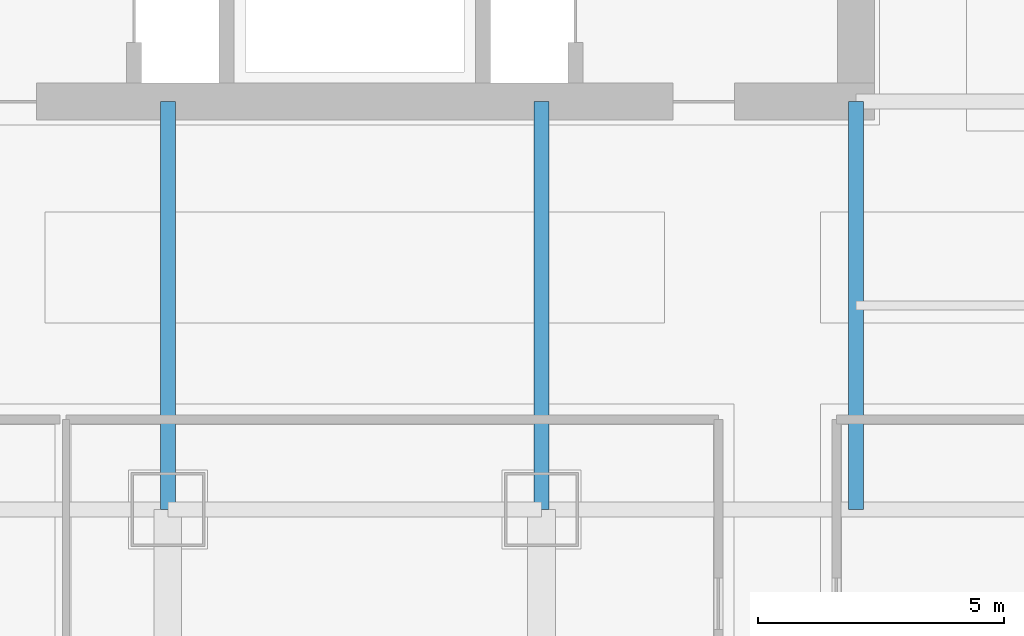
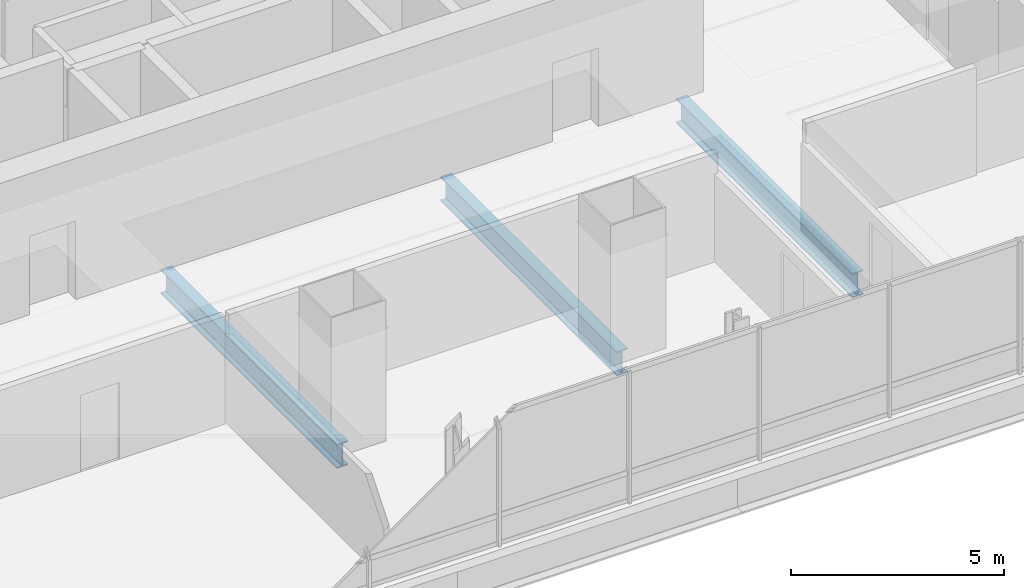
# One storey, part 7 of 34: 3 beams.
"""IFC4 building model written with IfcOpenShell, lengths in metres."""

from ifc_helpers import new_model, si_unit, direction, frame, origin, origin_2d, place, context, subcontext, project, spatial, i_section, extrude, material, material_profile, profile_set, type_object, element, save


model = new_model("IFC4")

# Units and contexts
model_context = context("Model", 3, precision=1e-05, world=origin(), true_north=direction((0.0, 1.0)))
body_context = subcontext(model_context, "Body", "Model", "MODEL_VIEW")
ifc_project = project(units=[si_unit("LENGTHUNIT", "METRE"), si_unit("AREAUNIT", "SQUARE_METRE"), si_unit("VOLUMEUNIT", "CUBIC_METRE"), si_unit("PLANEANGLEUNIT", "RADIAN"), si_unit("MASSUNIT", "GRAM", prefix="KILO")], contexts=[model_context])

# Site, building, storey
site_placement = place(None, origin())
site = spatial("IfcSite", under=ifc_project, at=site_placement, CompositionType="ELEMENT")
building_placement = place(site_placement, origin())
building = spatial("IfcBuilding", under=site, at=building_placement, Name="Punatoya Terracotta Tower", CompositionType="ELEMENT")
storey_placement = place(building_placement, frame((0.0, 0.0, 84.89990234375)))
storey = spatial("IfcBuildingStorey", under=building, at=storey_placement, Name="L19", CompositionType="ELEMENT", Elevation=84.89990234375)

# Beams
ifc_material = material(Name="Steel S355", Category="steel")
ifc_material_profile = material_profile(ifc_material, i_section(OverallWidth=0.300048828125, OverallDepth=0.699951171875, WebThickness=0.01708984375, FlangeThickness=0.031982421875, FilletRadius=0.01806640625, at=origin_2d()))
ifc_profile_set = profile_set([ifc_material_profile], Name="Steel S355")
beam_type = type_object("IfcBeamType", Name="BM-PRI-700", PredefinedType="BEAM", material=ifc_profile_set)
for number, where, z_axis, x_axis, name in (
    (1, (-3.800048828125, -17.5, -0.58984375), (0.0, 1.0, 0.0), (-1.0, 0.0, 0.0), "BM-L19-PR-S2"),
    (2, (3.800048828125, -17.5, -0.58984375), (0.0, 1.0, 0.0), (-1.0, 0.0, 0.0), "BM-L19-PR-S3"),
    (3, (10.199951171875, -17.5, -0.58984375), (0.0, 1.0, 0.0), (-1.0, 0.0, 0.0), "BM-L19-PR-S4"),
):
    element("IfcBeam", number, at=place(storey_placement, frame(where, z_axis=z_axis, x_axis=x_axis)), inside=storey, type_object=beam_type, Name=name, PredefinedType="BEAM", context=body_context, shape_type="SweptSolid", body=[
        extrude(i_section(OverallWidth=0.300048828125, OverallDepth=0.699951171875, WebThickness=0.01708984375, FlangeThickness=0.031982421875, FilletRadius=0.01806640625, at=origin_2d()), origin(), (0.0, 0.0, 1.0), 8.300048828125),
    ])

save(model, "model.ifc")
